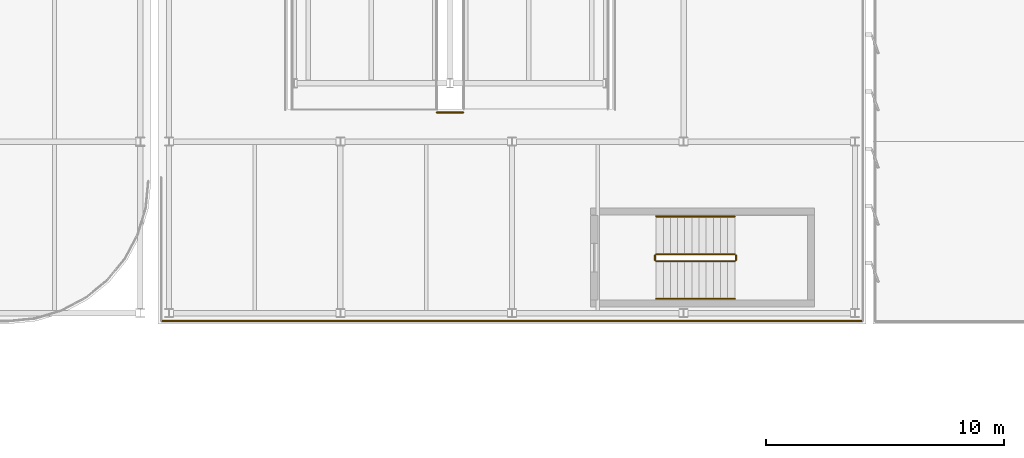
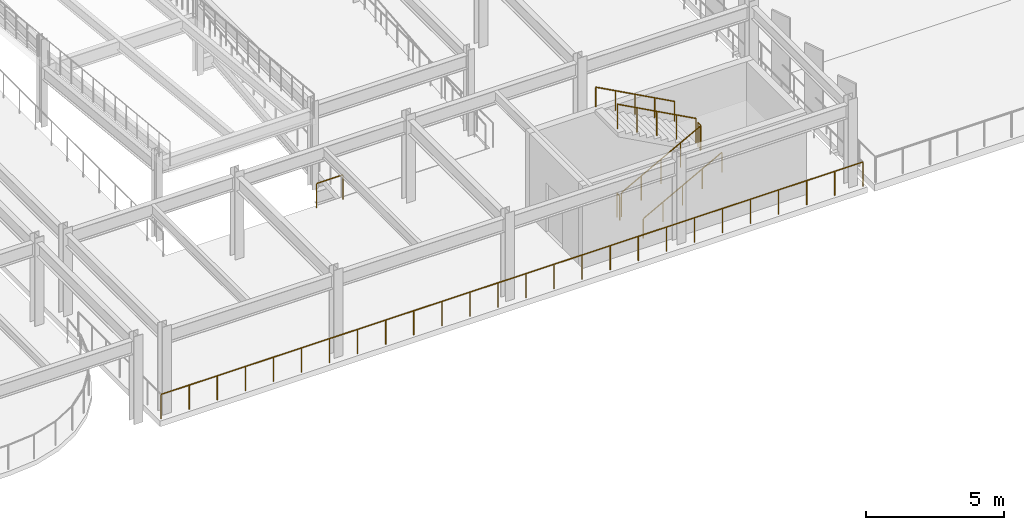
# One storey, part 50 of 52: 8 railings.
"""IFC4 building model written with IfcOpenShell, lengths in metres."""

from ifc_helpers import new_model, si_unit, direction, frame, origin, origin_2d, place, context, subcontext, project, spatial, circle, extrude, material, layer, layer_set, type_object, element, save


model = new_model("IFC4")

# Units and contexts
model_context = context("Model", 3, precision=1e-05, world=origin(), true_north=direction((0.0, 1.0)))
body_context = subcontext(model_context, "Body", "Model", "MODEL_VIEW")
ifc_project = project(units=[si_unit("LENGTHUNIT", "METRE"), si_unit("AREAUNIT", "SQUARE_METRE"), si_unit("VOLUMEUNIT", "CUBIC_METRE"), si_unit("PLANEANGLEUNIT", "RADIAN"), si_unit("MASSUNIT", "GRAM", prefix="KILO")], contexts=[model_context])

# Site, building, storey
site_placement = place(None, origin())
site = spatial("IfcSite", under=ifc_project, at=site_placement, CompositionType="ELEMENT")
building_placement = place(site_placement, origin())
building = spatial("IfcBuilding", under=site, at=building_placement, Name="Vaelcorin Mobility Hub", CompositionType="ELEMENT")
storey_placement = place(building_placement, frame((0.0, 0.0, 13.199951171875)))
storey = spatial("IfcBuildingStorey", under=building, at=storey_placement, Name="L03", CompositionType="ELEMENT", Elevation=13.199951171875)

# Railings
ifc_material_1 = material(Name="Galvanised structural steel ASTM A36", Category="steel")
ifc_layer_1 = layer(ifc_material_1, 0.070068359375)
ifc_layer_set_1 = layer_set([ifc_layer_1], Name="Galvanised structural steel ASTM A36")
railing_type_1 = type_object("IfcRailingType", Name="RL-GUARD-1100", PredefinedType="BALUSTRADE", material=ifc_layer_set_1)
railing_1_placement = place(storey_placement, frame((134.85009765625, 85.219970703125, 0.0)))
element("IfcRailing", 1, at=railing_1_placement, inside=storey, type_object=railing_type_1, Name="L03 Perimeter Guard GR-V2E-L03-WELL-MED-01", PredefinedType="BALUSTRADE", context=body_context, shape_type="SweptSolid", body=[
    extrude(circle(Radius=0.02392578125, at=origin_2d()), frame((0.0, 0.0, 1.076171875), z_axis=(1.0, 0.0, 0.0), x_axis=(0.0, 1.0, 0.0)), (0.0, 0.0, 1.0), 1.099853515625),
    extrude(circle(Radius=0.02099609375, at=origin_2d()), origin(), (0.0, 0.0, 1.0), 1.052001953125),
    extrude(circle(Radius=0.02099609375, at=origin_2d()), frame((1.099853515625, 0.0, 0.0)), (0.0, 0.0, 1.0), 1.052001953125),
])
railing_2_placement = place(storey_placement, frame((152.72998046875, 76.469970703125, 0.0)))
element("IfcRailing", 2, at=railing_2_placement, inside=storey, type_object=railing_type_1, Name="L03 Perimeter Guard GR-V2E-L03-15", PredefinedType="BALUSTRADE", context=body_context, shape_type="SweptSolid", body=[
    extrude(circle(Radius=0.02392578125, at=origin_2d()), frame((0.0, 0.0, 1.076171875), z_axis=(-1.0, 0.0, 0.0), x_axis=(0.0, -1.0, 0.0)), (0.0, 0.0, 1.0), 29.4599609375),
    extrude(circle(Radius=0.02099609375, at=origin_2d()), origin(), (0.0, 0.0, 1.0), 1.052001953125),
    extrude(circle(Radius=0.02099609375, at=origin_2d()), frame((-1.178466796875, 0.0, 0.0)), (0.0, 0.0, 1.0), 1.052001953125),
    extrude(circle(Radius=0.02099609375, at=origin_2d()), frame((-2.356689453125, 0.0, 0.0)), (0.0, 0.0, 1.0), 1.052001953125),
    extrude(circle(Radius=0.02099609375, at=origin_2d()), frame((-3.53515625, 0.0, 0.0)), (0.0, 0.0, 1.0), 1.052001953125),
    extrude(circle(Radius=0.02099609375, at=origin_2d()), frame((-4.713623046875, 0.0, 0.0)), (0.0, 0.0, 1.0), 1.052001953125),
    extrude(circle(Radius=0.02099609375, at=origin_2d()), frame((-5.89208984375, 0.0, 0.0)), (0.0, 0.0, 1.0), 1.052001953125),
    extrude(circle(Radius=0.02099609375, at=origin_2d()), frame((-7.0703125, 0.0, 0.0)), (0.0, 0.0, 1.0), 1.052001953125),
    extrude(circle(Radius=0.02099609375, at=origin_2d()), frame((-8.248779296875, 0.0, 0.0)), (0.0, 0.0, 1.0), 1.052001953125),
    extrude(circle(Radius=0.02099609375, at=origin_2d()), frame((-9.42724609375, 0.0, 0.0)), (0.0, 0.0, 1.0), 1.052001953125),
    extrude(circle(Radius=0.02099609375, at=origin_2d()), frame((-10.60546875, 0.0, 0.0)), (0.0, 0.0, 1.0), 1.052001953125),
    extrude(circle(Radius=0.02099609375, at=origin_2d()), frame((-11.783935546875, 0.0, 0.0)), (0.0, 0.0, 1.0), 1.052001953125),
    extrude(circle(Radius=0.02099609375, at=origin_2d()), frame((-12.96240234375, 0.0, 0.0)), (0.0, 0.0, 1.0), 1.052001953125),
    extrude(circle(Radius=0.02099609375, at=origin_2d()), frame((-14.140869140625, 0.0, 0.0)), (0.0, 0.0, 1.0), 1.052001953125),
    extrude(circle(Radius=0.02099609375, at=origin_2d()), frame((-15.319091796875, 0.0, 0.0)), (0.0, 0.0, 1.0), 1.052001953125),
    extrude(circle(Radius=0.02099609375, at=origin_2d()), frame((-16.49755859375, 0.0, 0.0)), (0.0, 0.0, 1.0), 1.052001953125),
    extrude(circle(Radius=0.02099609375, at=origin_2d()), frame((-17.676025390625, 0.0, 0.0)), (0.0, 0.0, 1.0), 1.052001953125),
    extrude(circle(Radius=0.02099609375, at=origin_2d()), frame((-18.8544921875, 0.0, 0.0)), (0.0, 0.0, 1.0), 1.052001953125),
    extrude(circle(Radius=0.02099609375, at=origin_2d()), frame((-20.03271484375, 0.0, 0.0)), (0.0, 0.0, 1.0), 1.052001953125),
    extrude(circle(Radius=0.02099609375, at=origin_2d()), frame((-21.211181640625, 0.0, 0.0)), (0.0, 0.0, 1.0), 1.052001953125),
    extrude(circle(Radius=0.02099609375, at=origin_2d()), frame((-22.3896484375, 0.0, 0.0)), (0.0, 0.0, 1.0), 1.052001953125),
    extrude(circle(Radius=0.02099609375, at=origin_2d()), frame((-23.56787109375, 0.0, 0.0)), (0.0, 0.0, 1.0), 1.052001953125),
    extrude(circle(Radius=0.02099609375, at=origin_2d()), frame((-24.746337890625, 0.0, 0.0)), (0.0, 0.0, 1.0), 1.052001953125),
    extrude(circle(Radius=0.02099609375, at=origin_2d()), frame((-25.9248046875, 0.0, 0.0)), (0.0, 0.0, 1.0), 1.052001953125),
    extrude(circle(Radius=0.02099609375, at=origin_2d()), frame((-27.103271484375, 0.0, 0.0)), (0.0, 0.0, 1.0), 1.052001953125),
    extrude(circle(Radius=0.02099609375, at=origin_2d()), frame((-28.281494140625, 0.0, 0.0)), (0.0, 0.0, 1.0), 1.052001953125),
    extrude(circle(Radius=0.02099609375, at=origin_2d()), frame((-29.4599609375, 0.0, 0.0)), (0.0, 0.0, 1.0), 1.052001953125),
])
ifc_material_2 = material(Name="Brushed stainless steel 316L", Category="steel")
ifc_layer_2 = layer(ifc_material_2, 0.048095703125)
ifc_layer_set_2 = layer_set([ifc_layer_2], Name="Brushed stainless steel 316L")
railing_type_2 = type_object("IfcRailingType", Name="RL-STAIR-GRD", PredefinedType="GUARDRAIL", material=ifc_layer_set_2)
railing_3_placement = place(storey_placement, frame((144.050048828125, 78.97998046875, 0.16259765625)))
element("IfcRailing", 3, at=railing_3_placement, inside=storey, type_object=railing_type_2, Name="L03 ST2 stair guard 1", PredefinedType="GUARDRAIL", context=body_context, shape_type="SweptSolid", body=[
    extrude(circle(Radius=0.02392578125, at=origin_2d()), frame((0.0, 0.0, 1.076171875), z_axis=(0.879311263194, 0.0, 0.47624752222), x_axis=(0.0, 1.0, 0.0)), (0.0, 0.0, 1.0), 3.7529296875),
    extrude(circle(Radius=0.02099609375, at=origin_2d()), origin(), (0.0, 0.0, 1.0), 1.052001953125),
    extrude(circle(Radius=0.02099609375, at=origin_2d()), frame((0.824951171875, 0.0, 0.44677734375)), (0.0, 0.0, 1.0), 1.052001953125),
    extrude(circle(Radius=0.02099609375, at=origin_2d()), frame((1.64990234375, 0.0, 0.8935546875)), (0.0, 0.0, 1.0), 1.052001953125),
    extrude(circle(Radius=0.02099609375, at=origin_2d()), frame((2.47509765625, 0.0, 1.340576171875)), (0.0, 0.0, 1.0), 1.052001953125),
    extrude(circle(Radius=0.02099609375, at=origin_2d()), frame((3.300048828125, 0.0, 1.787353515625)), (0.0, 0.0, 1.0), 1.052001953125),
])
railing_4_placement = place(storey_placement, frame((147.39990234375, 79.030029296875, 1.949951171875)))
element("IfcRailing", 4, at=railing_4_placement, inside=storey, type_object=railing_type_2, Name="L03 ST2 stair guard 2", PredefinedType="GUARDRAIL", context=body_context, shape_type="SweptSolid", body=[
    extrude(circle(Radius=0.02392578125, at=origin_2d()), frame((0.0, 0.0, 1.076171875), z_axis=(0.0, 1.0, 0.0), x_axis=(-1.0, 0.0, 0.0)), (0.0, 0.0, 1.0), 0.199951171875),
    extrude(circle(Radius=0.02099609375, at=origin_2d()), origin(), (0.0, 0.0, 1.0), 1.052001953125),
    extrude(circle(Radius=0.02099609375, at=origin_2d()), frame((0.0, 0.199951171875, 0.0)), (0.0, 0.0, 1.0), 1.052001953125),
])
railing_5_placement = place(storey_placement, frame((147.35009765625, 79.280029296875, 2.112548828125)))
element("IfcRailing", 5, at=railing_5_placement, inside=storey, type_object=railing_type_2, Name="L03 ST2 stair guard 3", PredefinedType="GUARDRAIL", context=body_context, shape_type="SweptSolid", body=[
    extrude(circle(Radius=0.02392578125, at=origin_2d()), frame((0.0, 0.0, 1.076171875), z_axis=(-0.879284020681, 0.0, 0.476297817521), x_axis=(0.0, -1.0, 0.0)), (0.0, 0.0, 1.0), 3.753173828125),
    extrude(circle(Radius=0.02099609375, at=origin_2d()), origin(), (0.0, 0.0, 1.0), 1.052001953125),
    extrude(circle(Radius=0.02099609375, at=origin_2d()), frame((-0.824951171875, 0.0, 0.44677734375)), (0.0, 0.0, 1.0), 1.052001953125),
    extrude(circle(Radius=0.02099609375, at=origin_2d()), frame((-1.64990234375, 0.0, 0.893798828125)), (0.0, 0.0, 1.0), 1.052001953125),
    extrude(circle(Radius=0.02099609375, at=origin_2d()), frame((-2.47509765625, 0.0, 1.3408203125)), (0.0, 0.0, 1.0), 1.052001953125),
    extrude(circle(Radius=0.02099609375, at=origin_2d()), frame((-3.300048828125, 0.0, 1.78759765625)), (0.0, 0.0, 1.0), 1.052001953125),
])
railing_6_placement = place(storey_placement, frame((144.0, 79.030029296875, 0.0)))
element("IfcRailing", 6, at=railing_6_placement, inside=storey, type_object=railing_type_2, Name="L03 ST2 stair guard 4", PredefinedType="GUARDRAIL", context=body_context, shape_type="SweptSolid", body=[
    extrude(circle(Radius=0.02392578125, at=origin_2d()), frame((0.0, 0.0, 1.076171875), z_axis=(0.0, 1.0, 0.0), x_axis=(-1.0, 0.0, 0.0)), (0.0, 0.0, 1.0), 0.199951171875),
    extrude(circle(Radius=0.02099609375, at=origin_2d()), origin(), (0.0, 0.0, 1.0), 1.052001953125),
    extrude(circle(Radius=0.02099609375, at=origin_2d()), frame((0.0, 0.199951171875, 0.0)), (0.0, 0.0, 1.0), 1.052001953125),
])
ifc_layer_3 = layer(ifc_material_2, 0.048095703125)
ifc_layer_set_3 = layer_set([ifc_layer_3], Name="Brushed stainless steel 316L")
railing_type_3 = type_object("IfcRailingType", Name="RL-STAIR-HR", PredefinedType="HANDRAIL", material=ifc_layer_set_3)
railing_7_placement = place(storey_placement, frame((144.050048828125, 77.39990234375, 0.16259765625)))
element("IfcRailing", 7, at=railing_7_placement, inside=storey, type_object=railing_type_3, Name="L03 ST2 stair handrail 1", PredefinedType="HANDRAIL", context=body_context, shape_type="SweptSolid", body=[
    extrude(circle(Radius=0.02392578125, at=origin_2d()), frame((0.0, 0.0, 0.8759765625), z_axis=(0.879311263194, 0.0, 0.47624752222), x_axis=(0.0, 1.0, 0.0)), (0.0, 0.0, 1.0), 3.7529296875),
    extrude(circle(Radius=0.02099609375, at=origin_2d()), origin(), (0.0, 0.0, 1.0), 0.851806640625),
    extrude(circle(Radius=0.02099609375, at=origin_2d()), frame((0.824951171875, 0.0, 0.44677734375)), (0.0, 0.0, 1.0), 0.851806640625),
    extrude(circle(Radius=0.02099609375, at=origin_2d()), frame((1.64990234375, 0.0, 0.8935546875)), (0.0, 0.0, 1.0), 0.851806640625),
    extrude(circle(Radius=0.02099609375, at=origin_2d()), frame((2.47509765625, 0.0, 1.340576171875)), (0.0, 0.0, 1.0), 0.851806640625),
    extrude(circle(Radius=0.02099609375, at=origin_2d()), frame((3.300048828125, 0.0, 1.787353515625)), (0.0, 0.0, 1.0), 0.851806640625),
])
railing_8_placement = place(storey_placement, frame((147.35009765625, 80.860107421875, 2.112548828125)))
element("IfcRailing", 8, at=railing_8_placement, inside=storey, type_object=railing_type_3, Name="L03 ST2 stair handrail 2", PredefinedType="HANDRAIL", context=body_context, shape_type="SweptSolid", body=[
    extrude(circle(Radius=0.02392578125, at=origin_2d()), frame((0.0, 0.0, 0.8759765625), z_axis=(-0.879284020681, 0.0, 0.476297817521), x_axis=(0.0, -1.0, 0.0)), (0.0, 0.0, 1.0), 3.753173828125),
    extrude(circle(Radius=0.02099609375, at=origin_2d()), origin(), (0.0, 0.0, 1.0), 0.851806640625),
    extrude(circle(Radius=0.02099609375, at=origin_2d()), frame((-0.824951171875, 0.0, 0.44677734375)), (0.0, 0.0, 1.0), 0.851806640625),
    extrude(circle(Radius=0.02099609375, at=origin_2d()), frame((-1.64990234375, 0.0, 0.893798828125)), (0.0, 0.0, 1.0), 0.851806640625),
    extrude(circle(Radius=0.02099609375, at=origin_2d()), frame((-2.47509765625, 0.0, 1.3408203125)), (0.0, 0.0, 1.0), 0.851806640625),
    extrude(circle(Radius=0.02099609375, at=origin_2d()), frame((-3.300048828125, 0.0, 1.78759765625)), (0.0, 0.0, 1.0), 0.851806640625),
])

save(model, "model.ifc")
